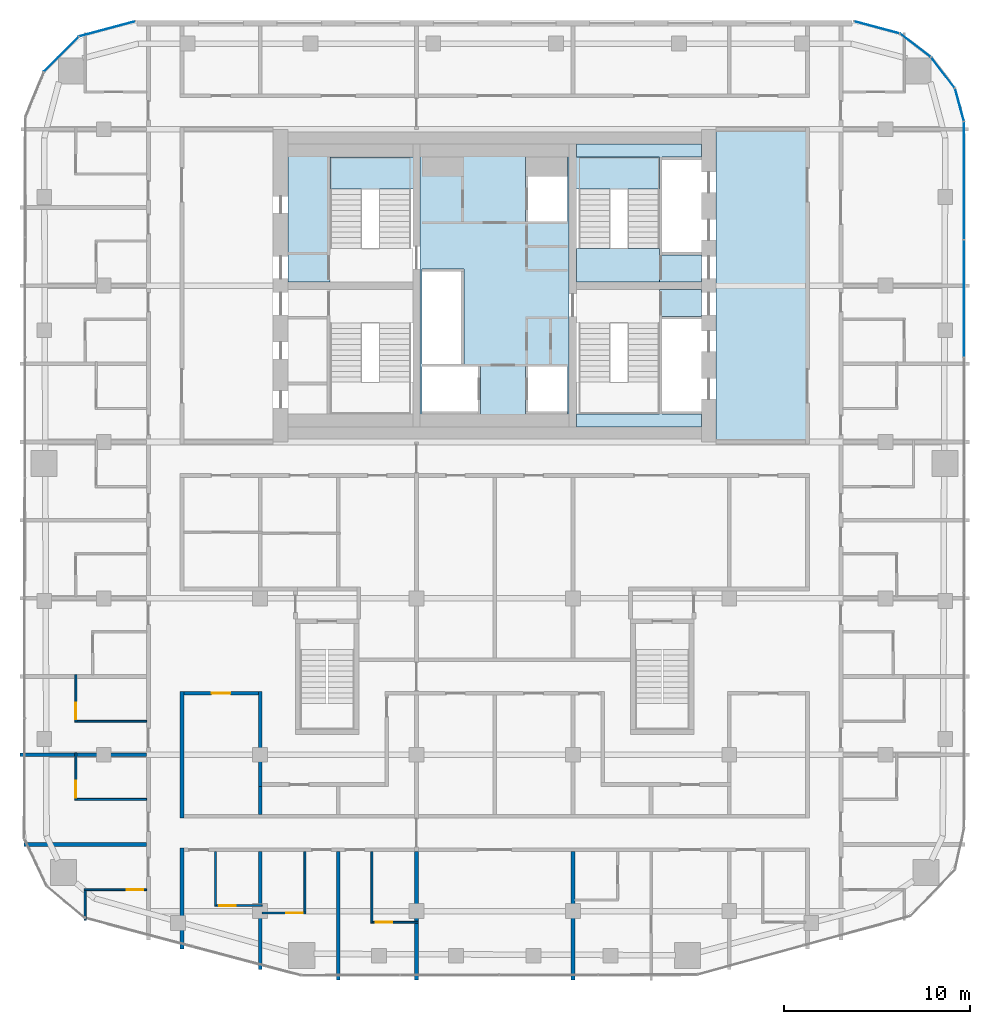
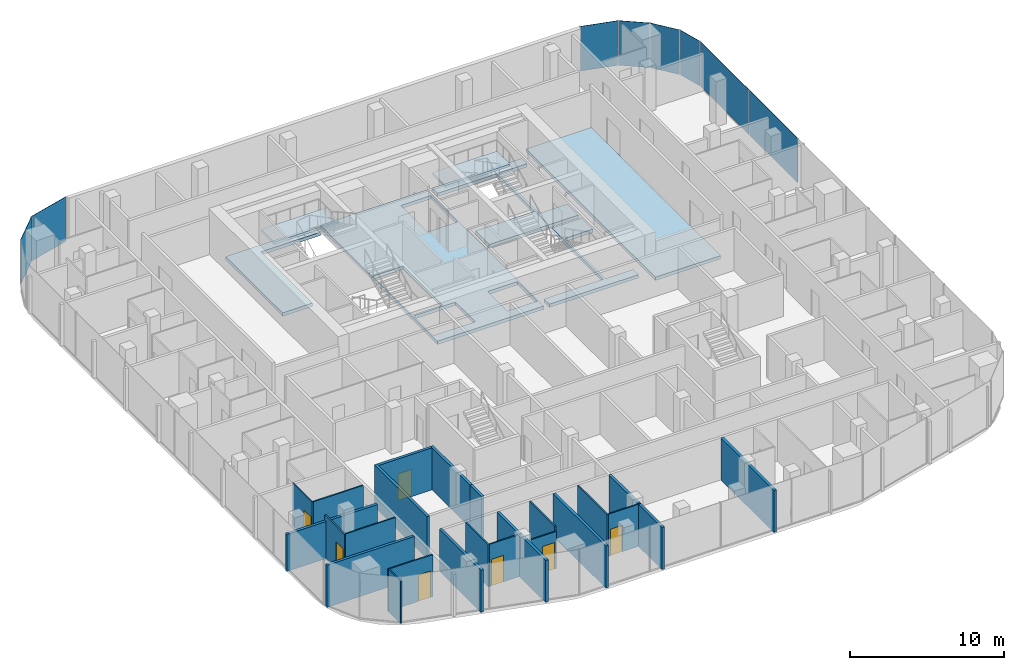
# One storey, part 13 of 22: 23 walls, 8 plates, 8 slabs, 7 doors, 7 openings, 9 elements without a shape of their own.
"""IFC4 building model written with IfcOpenShell, lengths in metres."""

from ifc_helpers import new_model, si_unit, direction, frame, frame_2d, origin, origin_2d, place, context, subcontext, project, spatial, polyline, rectangle, outline, extrude, material, layer, layer_set, type_object, element, fill, aggregate, save


model = new_model("IFC4")

# Units and contexts
model_context = context("Model", 3, precision=1e-05, world=origin(), true_north=direction((0.0, 1.0)))
body_context = subcontext(model_context, "Body", "Model", "MODEL_VIEW")
ifc_project = project(units=[si_unit("LENGTHUNIT", "METRE"), si_unit("AREAUNIT", "SQUARE_METRE"), si_unit("VOLUMEUNIT", "CUBIC_METRE"), si_unit("PLANEANGLEUNIT", "RADIAN"), si_unit("MASSUNIT", "GRAM", prefix="KILO")], contexts=[model_context])

# Site, building, storey
site_placement = place(None, origin())
site = spatial("IfcSite", under=ifc_project, at=site_placement, CompositionType="ELEMENT")
building_placement = place(site_placement, origin())
building = spatial("IfcBuilding", under=site, at=building_placement, Name="Marenta Gate Hotel Tower", CompositionType="ELEMENT")
storey_placement = place(building_placement, frame((0.0, 0.0, 194.89990234375)))
storey = spatial("IfcBuildingStorey", under=building, at=storey_placement, Name="L44", CompositionType="ELEMENT", Elevation=194.89990234375)

# Slabs
ifc_material_1 = material(Name="Concrete C40", Category="concrete")
ifc_layer_1 = layer(ifc_material_1, 0.260009765625)
ifc_layer_set_1 = layer_set([ifc_layer_1], Name="Concrete C40")
slab_type_1 = type_object("IfcSlabType", Name="Core floor slab 260", PredefinedType="FLOOR", material=ifc_layer_set_1)
slab_1_placement = place(storey_placement, frame((0.0, 0.0, -0.260009765625)))
element("IfcSlab", 1, at=slab_1_placement, inside=storey, type_object=slab_type_1, Name="L44-CF-1", PredefinedType="FLOOR", context=body_context, shape_type="SweptSolid", body=[
    extrude(outline(polyline([(11.89990234375, 0.0), (11.89990234375, 16.800048828125), (16.800048828125, 16.800048828125), (16.800048828125, 0.0), (11.89990234375, 0.0)])), origin(), (0.0, 0.0, 1.0), 0.260009765625),
])
slab_2_placement = place(storey_placement, frame((0.0, 0.0, -0.260009765625)))
element("IfcSlab", 2, at=slab_2_placement, inside=storey, type_object=slab_type_1, Name="L44-CF-2", PredefinedType="FLOOR", context=body_context, shape_type="SweptSolid", body=[
    extrude(outline(polyline([(8.85009765625, 1.5), (8.85009765625, 6.39990234375), (8.85009765625, 8.10009765625), (8.85009765625, 8.199951171875), (11.10009765625, 8.199951171875), (11.10009765625, 6.75), (9.0, 6.75), (9.0, 6.60009765625), (9.0, 4.199951171875), (9.0, 4.050048828125), (9.0, 1.64990234375), (9.0, 1.5), (11.10009765625, 1.5), (11.10009765625, 0.800048828125), (4.39990234375, 0.800048828125), (4.39990234375, 1.5), (8.85009765625, 1.5)])), origin(), (0.0, 0.0, 1.0), 0.260009765625),
])
slab_3_placement = place(storey_placement, frame((0.0, 0.0, -0.260009765625)))
element("IfcSlab", 3, at=slab_3_placement, inside=storey, type_object=slab_type_1, Name="L44-CF-3", PredefinedType="FLOOR", context=body_context, shape_type="SweptSolid", body=[
    extrude(outline(polyline([(8.85009765625, 15.300048828125), (4.39990234375, 15.300048828125), (4.39990234375, 16.0), (11.10009765625, 16.0), (11.10009765625, 15.300048828125), (9.0, 15.300048828125), (9.0, 15.14990234375), (9.0, 12.75), (9.0, 12.60009765625), (9.0, 10.199951171875), (9.0, 10.050048828125), (11.10009765625, 10.050048828125), (11.10009765625, 8.60009765625), (8.85009765625, 8.60009765625), (8.85009765625, 8.699951171875), (8.85009765625, 10.39990234375), (8.85009765625, 15.300048828125)])), origin(), (0.0, 0.0, 1.0), 0.260009765625),
])
slab_4_placement = place(storey_placement, frame((0.0, 0.0, -0.260009765625)))
element("IfcSlab", 4, at=slab_4_placement, inside=storey, type_object=slab_type_1, Name="L44-CF-4", PredefinedType="FLOOR", context=body_context, shape_type="SweptSolid", body=[
    extrude(outline(polyline([(4.0, 15.300048828125), (4.0, 10.39990234375), (4.0, 6.39990234375), (4.0, 1.5), (4.0, 0.800048828125), (-4.0, 0.800048828125), (-4.0, 1.5), (-4.0, 6.39990234375), (-4.0, 10.39990234375), (-4.0, 15.300048828125), (-4.0, 16.0), (4.0, 16.0), (4.0, 15.300048828125)]), holes=[polyline([(1.64990234375, 14.25), (1.64990234375, 11.85009765625), (1.800048828125, 11.85009765625), (3.89990234375, 11.85009765625), (3.89990234375, 14.25), (3.89990234375, 15.300048828125), (1.64990234375, 15.300048828125), (1.64990234375, 14.25)]), polyline([(3.89990234375, 1.64990234375), (3.89990234375, 4.050048828125), (1.800048828125, 4.050048828125), (1.64990234375, 4.050048828125), (1.64990234375, 1.64990234375), (1.64990234375, 1.5), (3.89990234375, 1.5), (3.89990234375, 1.64990234375)]), polyline([(-3.89990234375, 1.64990234375), (-3.89990234375, 1.5), (-0.89990234375, 1.5), (-0.75, 1.5), (-0.75, 4.050048828125), (-0.89990234375, 4.050048828125), (-3.89990234375, 4.050048828125), (-3.89990234375, 1.64990234375)]), polyline([(-1.800048828125, 4.199951171875), (-1.64990234375, 4.199951171875), (-1.64990234375, 9.14990234375), (-1.64990234375, 9.300048828125), (-3.89990234375, 9.300048828125), (-3.89990234375, 9.14990234375), (-3.89990234375, 6.75), (-3.89990234375, 6.60009765625), (-3.89990234375, 4.199951171875), (-1.800048828125, 4.199951171875)])]), origin(), (0.0, 0.0, 1.0), 0.260009765625),
])
slab_5_placement = place(storey_placement, frame((0.0, 0.0, -0.260009765625)))
element("IfcSlab", 5, at=slab_5_placement, inside=storey, type_object=slab_type_1, Name="L44-CF-6", PredefinedType="FLOOR", context=body_context, shape_type="SweptSolid", body=[
    extrude(outline(polyline([(-4.39990234375, 15.300048828125), (-8.85009765625, 15.300048828125), (-8.85009765625, 10.39990234375), (-8.85009765625, 8.699951171875), (-8.85009765625, 8.60009765625), (-11.10009765625, 8.60009765625), (-11.10009765625, 16.0), (-4.39990234375, 16.0), (-4.39990234375, 15.300048828125)])), origin(), (0.0, 0.0, 1.0), 0.260009765625),
])

# Stair, slab
ifc_material_2 = material(Name="Concrete C40", Category="concrete")
stair_type = type_object("IfcStairType", Name="Core exit stair 1700 wide", PredefinedType="HALF_TURN_STAIR", material=ifc_material_2)
stair_1_placement = place(storey_placement, origin())
stair_1 = element("IfcStair", 6, at=stair_1_placement, inside=storey, type_object=stair_type, Name="Exit stair 2", PredefinedType="HALF_TURN_STAIR")
ifc_material_3 = material(Name="Concrete C40", Category="concrete")
ifc_layer_2 = layer(ifc_material_3, 0.199951171875)
ifc_layer_set_2 = layer_set([ifc_layer_2], Name="Concrete C40")
slab_type_2 = type_object("IfcSlabType", Name="Core stair landing 200", PredefinedType="LANDING", material=ifc_layer_set_2)
slab_6_placement = place(storey_placement, frame((0.0, 0.0, 1.60009765625)))
slab_6 = element("IfcSlab", 7, at=slab_6_placement, type_object=slab_type_2, Name="SL-200 ST2 landing 1", PredefinedType="LANDING", context=body_context, shape_type="SweptSolid", body=[
    extrude(outline(polyline([(-8.85009765625, 13.590087890625), (-4.0, 13.590087890625), (-4.0, 15.300048828125), (-8.85009765625, 15.300048828125), (-8.85009765625, 13.590087890625)])), origin(), (0.0, 0.0, 1.0), 0.199951171875),
])
aggregate(stair_1, [slab_6])

stair_2_placement = place(storey_placement, origin())
stair_2 = element("IfcStair", 8, at=stair_2_placement, inside=storey, type_object=stair_type, Name="Exit stair 4", PredefinedType="HALF_TURN_STAIR")
slab_7_placement = place(storey_placement, frame((0.0, 0.0, 1.60009765625)))
slab_7 = element("IfcSlab", 9, at=slab_7_placement, type_object=slab_type_2, Name="SL-200 ST4 landing 1", PredefinedType="LANDING", context=body_context, shape_type="SweptSolid", body=[
    extrude(outline(polyline([(4.0, 13.590087890625), (8.85009765625, 13.590087890625), (8.85009765625, 15.300048828125), (4.0, 15.300048828125), (4.0, 13.590087890625)])), origin(), (0.0, 0.0, 1.0), 0.199951171875),
])
aggregate(stair_2, [slab_7])

# Curtain wall, plate
ifc_material_4 = material(Name="Tinted insulated glass in bronze anodised frame", Category="glass")
ifc_layer_3 = layer(ifc_material_4, 0.1201171875)
ifc_layer_set_3 = layer_set([ifc_layer_3], Name="Tinted insulated glass in bronze anodised frame")
curtain_wall_type = type_object("IfcCurtainWallType", Name="Tower unitised curtain wall CW1", PredefinedType="NOTDEFINED", material=ifc_layer_set_3)
curtain_wall_1_placement = place(storey_placement, origin())
curtain_wall_1 = element("IfcCurtainWall", 10, at=curtain_wall_1_placement, inside=storey, type_object=curtain_wall_type, Name="CW1 run G00", PredefinedType="NOTDEFINED")
ifc_material_5 = material(Name="Tinted insulated glass", Category="glass")
ifc_layer_4 = layer(ifc_material_5, 0.028076171875)
ifc_layer_set_4 = layer_set([ifc_layer_4], Name="Tinted insulated glass")
plate_type = type_object("IfcPlateType", Name="Glass panel CW1 28 mm tinted insulated unit", PredefinedType="CURTAIN_PANEL", material=ifc_layer_set_4)
plate_1_placement = place(storey_placement, frame((-20.813720703125, 22.19384765625, 0.06005859375), z_axis=(0.0, 0.0, 1.0), x_axis=(-0.965930559685, -0.258801379183, 0.0)))
plate_1 = element("IfcPlate", 11, at=plate_1_placement, type_object=plate_type, Name="CW1 panel 1.1", PredefinedType="CURTAIN_PANEL", context=body_context, shape_type="SweptSolid", body=[
    extrude(rectangle(XDim=3.104248046875, YDim=0.028076171875, at=origin_2d()), origin(), (0.0, 0.0, 1.0), 3.5400390625),
])
aggregate(curtain_wall_1, [plate_1])

curtain_wall_2_placement = place(storey_placement, origin())
curtain_wall_2 = element("IfcCurtainWall", 12, at=curtain_wall_2_placement, inside=storey, type_object=curtain_wall_type, Name="CW1 run G01", PredefinedType="NOTDEFINED")
plate_2_placement = place(storey_placement, frame((-23.279541015625, 20.825439453125, 0.06005859375), z_axis=(0.0, 0.0, 1.0), x_axis=(-0.707106781187, -0.707106781187, 0.0)))
plate_2 = element("IfcPlate", 13, at=plate_2_placement, type_object=plate_type, Name="CW1 panel 1.1", PredefinedType="CURTAIN_PANEL", context=body_context, shape_type="SweptSolid", body=[
    extrude(rectangle(XDim=2.614013671875, YDim=0.028076171875, at=origin_2d()), origin(), (0.0, 0.0, 1.0), 3.5400390625),
])
aggregate(curtain_wall_2, [plate_2])

# Curtain wall, plates
curtain_wall_3_placement = place(storey_placement, origin())
curtain_wall_3 = element("IfcCurtainWall", 14, at=curtain_wall_3_placement, inside=storey, type_object=curtain_wall_type, Name="CW1 run G11", PredefinedType="NOTDEFINED")
plate_3_placement = place(storey_placement, frame((25.214111328125, 7.7080078125, 0.06005859375), z_axis=(0.0, 0.0, 1.0), x_axis=(0.0, 1.0, 0.0)))
plate_3 = element("IfcPlate", 15, at=plate_3_placement, type_object=plate_type, Name="CW1 panel 5.1", PredefinedType="CURTAIN_PANEL", context=body_context, shape_type="SweptSolid", body=[
    extrude(rectangle(XDim=6.2626953125, YDim=0.028076171875, at=origin_2d()), origin(), (0.0, 0.0, 1.0), 3.5400390625),
])
plate_4_placement = place(storey_placement, frame((25.214111328125, 14.045654296875, 0.06005859375), z_axis=(0.0, 0.0, 1.0), x_axis=(0.0, 1.0, 0.0)))
plate_4 = element("IfcPlate", 16, at=plate_4_placement, type_object=plate_type, Name="CW1 panel 6.1", PredefinedType="CURTAIN_PANEL", context=body_context, shape_type="SweptSolid", body=[
    extrude(rectangle(XDim=6.29248046875, YDim=0.028076171875, at=origin_2d()), origin(), (0.0, 0.0, 1.0), 3.5400390625),
])
aggregate(curtain_wall_3, [plate_3, plate_4])

# Curtain wall, plate
curtain_wall_4_placement = place(storey_placement, origin())
curtain_wall_4 = element("IfcCurtainWall", 17, at=curtain_wall_4_placement, inside=storey, type_object=curtain_wall_type, Name="CW1 run G12", PredefinedType="NOTDEFINED")
plate_5_placement = place(storey_placement, frame((24.96630859375, 18.1162109375, 0.06005859375), z_axis=(0.0, 0.0, 1.0), x_axis=(-0.258824166754, 0.965924453932, 0.0)))
plate_5 = element("IfcPlate", 18, at=plate_5_placement, type_object=plate_type, Name="CW1 panel 1.1", PredefinedType="CURTAIN_PANEL", context=body_context, shape_type="SweptSolid", body=[
    extrude(rectangle(XDim=1.793701171875, YDim=0.028076171875, at=origin_2d()), origin(), (0.0, 0.0, 1.0), 3.5400390625),
])
aggregate(curtain_wall_4, [plate_5])

curtain_wall_5_placement = place(storey_placement, origin())
curtain_wall_5 = element("IfcCurtainWall", 19, at=curtain_wall_5_placement, inside=storey, type_object=curtain_wall_type, Name="CW1 run G13", PredefinedType="NOTDEFINED")
plate_6_placement = place(storey_placement, frame((24.0751953125, 19.84130859375, 0.06005859375), z_axis=(0.0, 0.0, 1.0), x_axis=(-0.608787499222, 0.793333335233, 0.0)))
plate_6 = element("IfcPlate", 20, at=plate_6_placement, type_object=plate_type, Name="CW1 panel 1.1", PredefinedType="CURTAIN_PANEL", context=body_context, shape_type="SweptSolid", body=[
    extrude(rectangle(XDim=2.045166015625, YDim=0.028076171875, at=origin_2d()), origin(), (0.0, 0.0, 1.0), 3.5400390625),
])
aggregate(curtain_wall_5, [plate_6])

curtain_wall_6_placement = place(storey_placement, origin())
curtain_wall_6 = element("IfcCurtainWall", 21, at=curtain_wall_6_placement, inside=storey, type_object=curtain_wall_type, Name="CW1 run G14", PredefinedType="NOTDEFINED")
plate_7_placement = place(storey_placement, frame((22.59375, 21.311767578125, 0.06005859375), z_axis=(0.0, 0.0, 1.0), x_axis=(-0.793333335233, 0.608787499222, 0.0)))
plate_7 = element("IfcPlate", 22, at=plate_7_placement, type_object=plate_type, Name="CW1 panel 1.1", PredefinedType="CURTAIN_PANEL", context=body_context, shape_type="SweptSolid", body=[
    extrude(rectangle(XDim=2.045166015625, YDim=0.028076171875, at=origin_2d()), origin(), (0.0, 0.0, 1.0), 3.5400390625),
])
aggregate(curtain_wall_6, [plate_7])

curtain_wall_7_placement = place(storey_placement, origin())
curtain_wall_7 = element("IfcCurtainWall", 23, at=curtain_wall_7_placement, inside=storey, type_object=curtain_wall_type, Name="CW1 run G15", PredefinedType="NOTDEFINED")
plate_8_placement = place(storey_placement, frame((20.51953125, 22.272705078125, 0.06005859375), z_axis=(0.0, 0.0, 1.0), x_axis=(-0.96592961764, 0.258804895175, 0.0)))
plate_8 = element("IfcPlate", 24, at=plate_8_placement, type_object=plate_type, Name="CW1 panel 1.1", PredefinedType="CURTAIN_PANEL", context=body_context, shape_type="SweptSolid", body=[
    extrude(rectangle(XDim=2.4951171875, YDim=0.028076171875, at=origin_2d()), origin(), (0.0, 0.0, 1.0), 3.5400390625),
])
aggregate(curtain_wall_7, [plate_8])

# Slab
ifc_material_6 = material(Name="Concrete C40", Category="concrete")
ifc_layer_5 = layer(ifc_material_6, 0.300048828125)
ifc_layer_set_5 = layer_set([ifc_layer_5], Name="Concrete C40")
slab_type_3 = type_object("IfcSlabType", Name="Stair floor landing slab 300", PredefinedType="FLOOR", material=ifc_layer_set_5)
slab_8_placement = place(storey_placement, frame((0.0, 0.0, -0.2998046875)))
element("IfcSlab", 25, at=slab_8_placement, inside=storey, type_object=slab_type_3, Name="L44-CL-ST4-1", PredefinedType="FLOOR", context=body_context, shape_type="SweptSolid", body=[
    extrude(outline(polyline([(4.39990234375, 8.60009765625), (4.39990234375, 10.39990234375), (8.85009765625, 10.39990234375), (8.85009765625, 8.699951171875), (8.85009765625, 8.60009765625), (4.39990234375, 8.60009765625)])), origin(), (0.0, 0.0, 1.0), 0.2998046875),
])

# Wall
ifc_material_7 = material(Name="Concrete blockwork", Category="masonry")
ifc_layer_6 = layer(ifc_material_7, 0.199951171875)
ifc_layer_set_6 = layer_set([ifc_layer_6], Name="Concrete blockwork")
wall_type_1 = type_object("IfcWallType", Name="Compartment wall 200 REI 180", PredefinedType="PARTITIONING", material=ifc_layer_set_6)
wall_1_placement = place(storey_placement, frame((-4.199951171875, -28.89990234375, 0.0), z_axis=(0.0, 0.0, 1.0), x_axis=(0.0, 1.0, 0.0)))
element("IfcWall", 26, at=wall_1_placement, inside=storey, type_object=wall_type_1, Name="L44-PTN-W079", PredefinedType="PARTITIONING", context=body_context, shape_type="SweptSolid", body=[
    extrude(rectangle(XDim=6.89990234375, YDim=0.199951171875, at=frame_2d((3.449951171875, 0.0))), origin(), (0.0, 0.0, 1.0), 3.340087890625),
])

# Wall, opening, door
ifc_material_8 = material(Name="Gypsum board on steel stud", Category="steel")
ifc_layer_7 = layer(ifc_material_8, 0.199951171875)
ifc_layer_set_7 = layer_set([ifc_layer_7], Name="Gypsum board on steel stud")
wall_type_2 = type_object("IfcWallType", Name="Room corridor wall 200 EI 60", PredefinedType="PARTITIONING", material=ifc_layer_set_7)
wall_2_placement = place(storey_placement, frame((-16.699951171875, -13.5, 0.0), z_axis=(0.0, 0.0, 1.0), x_axis=(1.0, 0.0, 0.0)))
wall_2 = element("IfcWall", 27, at=wall_2_placement, inside=storey, type_object=wall_type_2, Name="L44-PTN-W035", PredefinedType="PARTITIONING", context=body_context, shape_type="SweptSolid", body=[
    extrude(rectangle(XDim=4.0, YDim=0.199951171875, at=frame_2d((2.0, 0.0))), origin(), (0.0, 0.0, 1.0), 3.340087890625),
])
opening_1_placement = place(wall_2_placement, frame((1.5, 0.0, 0.0)))
opening_1 = element("IfcOpeningElement", 28, at=opening_1_placement, cuts=wall_2, Name="Opening G15-10", PredefinedType="OPENING", context=body_context, shape_type="SweptSolid", body=[
    extrude(rectangle(XDim=1.0, YDim=2.10009765625, at=frame_2d((0.5, 1.050048828125))), frame((0.0, 0.10009765625, 0.0), z_axis=(0.0, -1.0, 0.0), x_axis=(1.0, 0.0, 0.0)), (0.0, 0.0, 1.0), 0.199951171875),
])
ifc_material_9 = material(Name="Timber door leaf", Category="wood")
door_type_1 = type_object("IfcDoorType", Name="Room amenity door 1000x2100 EI 30", OperationType="NOTDEFINED", PredefinedType="DOOR", material=ifc_material_9)
door_1_placement = place(opening_1_placement, origin())
door_1 = element("IfcDoor", 29, at=door_1_placement, inside=storey, type_object=door_type_1, Name="L44-PD-D010", OperationType="SINGLE_SWING_RIGHT", OverallHeight=2.10009765625, OverallWidth=1.0, PredefinedType="DOOR", context=body_context, shape_type="SweptSolid", body=[
    extrude(rectangle(XDim=1.0, YDim=2.10009765625, at=frame_2d((0.5, 1.050048828125))), frame((0.0, 0.02490234375, 0.0), z_axis=(0.0, -1.0, 0.0), x_axis=(1.0, 0.0, 0.0)), (0.0, 0.0, 1.0), 0.050048828125),
])
fill(opening_1, door_1)

# Walls
wall_3_placement = place(storey_placement, frame((-12.60009765625, -18.5, 0.0), z_axis=(0.0, 0.0, 1.0), x_axis=(0.0, 1.0, 0.0)))
element("IfcWall", 30, at=wall_3_placement, inside=storey, type_object=wall_type_2, Name="L44-PTN-W102", PredefinedType="PARTITIONING", context=body_context, shape_type="SweptSolid", body=[
    extrude(rectangle(XDim=5.10009765625, YDim=0.199951171875, at=frame_2d((2.550048828125, 0.0))), origin(), (0.0, 0.0, 1.0), 3.340087890625),
])
wall_4_placement = place(storey_placement, frame((-16.800048828125, -27.22900390625, 0.0), z_axis=(0.0, 0.0, 1.0), x_axis=(0.0, 1.0, 0.0)))
element("IfcWall", 31, at=wall_4_placement, inside=storey, type_object=wall_type_2, Name="L44-PTN-W106", PredefinedType="PARTITIONING", context=body_context, shape_type="SweptSolid", body=[
    extrude(rectangle(XDim=5.428955078125, YDim=0.199951171875, at=frame_2d((2.71435546875, 0.0))), origin(), (0.0, 0.0, 1.0), 3.340087890625),
])
wall_5_placement = place(storey_placement, frame((-16.800048828125, -20.199951171875, 0.0), z_axis=(0.0, 0.0, 1.0), x_axis=(0.0, 1.0, 0.0)))
element("IfcWall", 32, at=wall_5_placement, inside=storey, type_object=wall_type_2, Name="L44-PTN-W107", PredefinedType="PARTITIONING", context=body_context, shape_type="SweptSolid", body=[
    extrude(rectangle(XDim=6.800048828125, YDim=0.199951171875, at=frame_2d((3.39990234375, 0.0))), origin(), (0.0, 0.0, 1.0), 3.340087890625),
])

# Wall, opening, door
ifc_material_10 = material(Name="Gypsum board on steel stud", Category="steel")
ifc_layer_8 = layer(ifc_material_10, 0.10009765625)
ifc_layer_set_8 = layer_set([ifc_layer_8], Name="Gypsum board on steel stud")
wall_type_3 = type_object("IfcWallType", Name="Room partition 100", PredefinedType="PARTITIONING", material=ifc_layer_set_8)
wall_6_placement = place(storey_placement, frame((-6.550048828125, -25.800048828125, 0.0), z_axis=(0.0, 0.0, 1.0), x_axis=(1.0, 0.0, 0.0)))
wall_6 = element("IfcWall", 33, at=wall_6_placement, inside=storey, type_object=wall_type_3, Name="L44-PTN-W001", PredefinedType="PARTITIONING", context=body_context, shape_type="SweptSolid", body=[
    extrude(rectangle(XDim=2.449951171875, YDim=0.10009765625, at=frame_2d((1.22509765625, 0.0))), origin(), (0.0, 0.0, 1.0), 3.340087890625),
])
opening_2_placement = place(wall_6_placement, frame((0.14990234375, 0.0, 0.0)))
opening_2 = element("IfcOpeningElement", 34, at=opening_2_placement, cuts=wall_6, Name="Opening G15-47", PredefinedType="OPENING", context=body_context, shape_type="SweptSolid", body=[
    extrude(rectangle(XDim=0.89990234375, YDim=2.10009765625, at=frame_2d((0.449951171875, 1.050048828125))), frame((0.0, 0.050048828125, 0.0), z_axis=(0.0, -1.0, 0.0), x_axis=(1.0, 0.0, 0.0)), (0.0, 0.0, 1.0), 0.10009765625),
])
ifc_material_11 = material(Name="Timber door leaf", Category="wood")
door_type_2 = type_object("IfcDoorType", Name="Guest bathroom door 900x2100", OperationType="NOTDEFINED", PredefinedType="DOOR", material=ifc_material_11)
door_2_placement = place(opening_2_placement, origin())
door_2 = element("IfcDoor", 35, at=door_2_placement, inside=storey, type_object=door_type_2, Name="L44-PD-D047", OperationType="SINGLE_SWING_LEFT", OverallHeight=2.10009765625, OverallWidth=0.89990234375, PredefinedType="DOOR", context=body_context, shape_type="SweptSolid", body=[
    extrude(rectangle(XDim=0.89990234375, YDim=2.10009765625, at=frame_2d((0.449951171875, 1.050048828125))), frame((0.0, 0.02490234375, 0.0), z_axis=(0.0, -1.0, 0.0), x_axis=(1.0, 0.0, 0.0)), (0.0, 0.0, 1.0), 0.050048828125),
])
fill(opening_2, door_2)

wall_7_placement = place(storey_placement, frame((-12.5, -25.300048828125, 0.0), z_axis=(0.0, 0.0, 1.0), x_axis=(1.0, 0.0, 0.0)))
wall_7 = element("IfcWall", 36, at=wall_7_placement, inside=storey, type_object=wall_type_3, Name="L44-PTN-W003", PredefinedType="PARTITIONING", context=body_context, shape_type="SweptSolid", body=[
    extrude(rectangle(XDim=2.35009765625, YDim=0.10009765625, at=frame_2d((1.175048828125, 0.0))), origin(), (0.0, 0.0, 1.0), 2.940185546875),
])
opening_3_placement = place(wall_7_placement, frame((1.300048828125, 0.0, 0.0)))
opening_3 = element("IfcOpeningElement", 37, at=opening_3_placement, cuts=wall_7, Name="Opening G15-45", PredefinedType="OPENING", context=body_context, shape_type="SweptSolid", body=[
    extrude(rectangle(XDim=0.89990234375, YDim=2.10009765625, at=frame_2d((0.449951171875, 1.050048828125))), frame((0.0, 0.050048828125, 0.0), z_axis=(0.0, -1.0, 0.0), x_axis=(1.0, 0.0, 0.0)), (0.0, 0.0, 1.0), 0.10009765625),
])
door_3_placement = place(opening_3_placement, origin())
door_3 = element("IfcDoor", 38, at=door_3_placement, inside=storey, type_object=door_type_2, Name="L44-PD-D045", OperationType="SINGLE_SWING_RIGHT", OverallHeight=2.10009765625, OverallWidth=0.89990234375, PredefinedType="DOOR", context=body_context, shape_type="SweptSolid", body=[
    extrude(rectangle(XDim=0.89990234375, YDim=2.10009765625, at=frame_2d((0.449951171875, 1.050048828125))), frame((0.0, 0.02490234375, 0.0), z_axis=(0.0, -1.0, 0.0), x_axis=(1.0, 0.0, 0.0)), (0.0, 0.0, 1.0), 0.050048828125),
])
fill(opening_3, door_3)

wall_8_placement = place(storey_placement, frame((-14.949951171875, -24.89990234375, 0.0), z_axis=(0.0, 0.0, 1.0), x_axis=(1.0, 0.0, 0.0)))
wall_8 = element("IfcWall", 39, at=wall_8_placement, inside=storey, type_object=wall_type_3, Name="L44-PTN-W004", PredefinedType="PARTITIONING", context=body_context, shape_type="SweptSolid", body=[
    extrude(rectangle(XDim=2.449951171875, YDim=0.10009765625, at=frame_2d((1.22509765625, 0.0))), origin(), (0.0, 0.0, 1.0), 3.340087890625),
])
opening_4_placement = place(wall_8_placement, frame((0.14990234375, 0.0, 0.0)))
opening_4 = element("IfcOpeningElement", 40, at=opening_4_placement, cuts=wall_8, Name="Opening G15-43", PredefinedType="OPENING", context=body_context, shape_type="SweptSolid", body=[
    extrude(rectangle(XDim=0.89990234375, YDim=2.10009765625, at=frame_2d((0.449951171875, 1.050048828125))), frame((0.0, 0.050048828125, 0.0), z_axis=(0.0, -1.0, 0.0), x_axis=(1.0, 0.0, 0.0)), (0.0, 0.0, 1.0), 0.10009765625),
])
door_4_placement = place(opening_4_placement, origin())
door_4 = element("IfcDoor", 41, at=door_4_placement, inside=storey, type_object=door_type_2, Name="L44-PD-D043", OperationType="SINGLE_SWING_LEFT", OverallHeight=2.10009765625, OverallWidth=0.89990234375, PredefinedType="DOOR", context=body_context, shape_type="SweptSolid", body=[
    extrude(rectangle(XDim=0.89990234375, YDim=2.10009765625, at=frame_2d((0.449951171875, 1.050048828125))), frame((0.0, 0.02490234375, 0.0), z_axis=(0.0, -1.0, 0.0), x_axis=(1.0, 0.0, 0.0)), (0.0, 0.0, 1.0), 0.050048828125),
])
fill(opening_4, door_4)

wall_9_placement = place(storey_placement, frame((-22.050048828125, -24.051025390625, 0.0), z_axis=(0.0, 0.0, 1.0), x_axis=(1.0, 0.0, 0.0)))
wall_9 = element("IfcWall", 42, at=wall_9_placement, inside=storey, type_object=wall_type_3, Name="L44-PTN-W006", PredefinedType="PARTITIONING", context=body_context, shape_type="SweptSolid", body=[
    extrude(rectangle(XDim=3.35009765625, YDim=0.10009765625, at=frame_2d((1.675048828125, 0.0))), origin(), (0.0, 0.0, 1.0), 3.340087890625),
])
opening_5_placement = place(wall_9_placement, frame((2.280029296875, 0.0, 0.0)))
opening_5 = element("IfcOpeningElement", 43, at=opening_5_placement, cuts=wall_9, Name="Opening G15-55", PredefinedType="OPENING", context=body_context, shape_type="SweptSolid", body=[
    extrude(rectangle(XDim=0.89990234375, YDim=2.10009765625, at=frame_2d((0.449951171875, 1.050048828125))), frame((0.0, 0.050048828125, 0.0), z_axis=(0.0, -1.0, 0.0), x_axis=(1.0, 0.0, 0.0)), (0.0, 0.0, 1.0), 0.10009765625),
])
door_5_placement = place(opening_5_placement, origin())
door_5 = element("IfcDoor", 44, at=door_5_placement, inside=storey, type_object=door_type_2, Name="L44-PD-D055", OperationType="SINGLE_SWING_LEFT", OverallHeight=2.10009765625, OverallWidth=0.89990234375, PredefinedType="DOOR", context=body_context, shape_type="SweptSolid", body=[
    extrude(rectangle(XDim=0.89990234375, YDim=2.10009765625, at=frame_2d((0.449951171875, 1.050048828125))), frame((0.0, 0.02490234375, 0.0), z_axis=(0.0, -1.0, 0.0), x_axis=(1.0, 0.0, 0.0)), (0.0, 0.0, 1.0), 0.050048828125),
])
fill(opening_5, door_5)

# Walls
for number, where, z_axis, x_axis, name in (
    (45, (-22.449951171875, -19.199951171875, 0.0), (0.0, 0.0, 1.0), (1.0, 0.0, 0.0), "L44-PTN-W021"),
    (46, (-22.449951171875, -15.0, 0.0), (0.0, 0.0, 1.0), (1.0, 0.0, 0.0), "L44-PTN-W032"),
):
    element("IfcWall", number, at=place(storey_placement, frame(where, z_axis=z_axis, x_axis=x_axis)), inside=storey, type_object=wall_type_3, Name=name, PredefinedType="PARTITIONING", context=body_context, shape_type="SweptSolid", body=[
        extrude(rectangle(XDim=3.75, YDim=0.10009765625, at=frame_2d((1.875, 0.0))), origin(), (0.0, 0.0, 1.0), 3.340087890625),
    ])
wall_10_placement = place(storey_placement, frame((-6.60009765625, -25.85009765625, 0.0), z_axis=(0.0, 0.0, 1.0), x_axis=(0.0, 1.0, 0.0)))
element("IfcWall", 47, at=wall_10_placement, inside=storey, type_object=wall_type_3, Name="L44-PTN-W086", PredefinedType="PARTITIONING", context=body_context, shape_type="SweptSolid", body=[
    extrude(rectangle(XDim=3.85009765625, YDim=0.10009765625, at=frame_2d((1.925048828125, 0.0))), origin(), (0.0, 0.0, 1.0), 3.340087890625),
])
wall_11_placement = place(storey_placement, frame((-10.199951171875, -25.25, 0.0), z_axis=(0.0, 0.0, 1.0), x_axis=(0.0, 1.0, 0.0)))
element("IfcWall", 48, at=wall_11_placement, inside=storey, type_object=wall_type_3, Name="L44-PTN-W095", PredefinedType="PARTITIONING", context=body_context, shape_type="SweptSolid", body=[
    extrude(rectangle(XDim=3.25, YDim=0.10009765625, at=frame_2d((1.625, 0.0))), origin(), (0.0, 0.0, 1.0), 3.340087890625),
])
wall_12_placement = place(storey_placement, frame((-15.0, -24.949951171875, 0.0), z_axis=(0.0, 0.0, 1.0), x_axis=(0.0, 1.0, 0.0)))
element("IfcWall", 49, at=wall_12_placement, inside=storey, type_object=wall_type_3, Name="L44-PTN-W105", PredefinedType="PARTITIONING", context=body_context, shape_type="SweptSolid", body=[
    extrude(rectangle(XDim=2.949951171875, YDim=0.10009765625, at=frame_2d((1.47509765625, 0.0))), origin(), (0.0, 0.0, 1.0), 3.340087890625),
])
wall_13_placement = place(storey_placement, frame((-22.0, -25.68505859375, 0.0), z_axis=(0.0, 0.0, 1.0), x_axis=(0.0, 1.0, 0.0)))
element("IfcWall", 50, at=wall_13_placement, inside=storey, type_object=wall_type_3, Name="L44-PTN-W120", PredefinedType="PARTITIONING", context=body_context, shape_type="SweptSolid", body=[
    extrude(rectangle(XDim=1.583984375, YDim=0.10009765625, at=frame_2d((0.7919921875, 0.0))), origin(), (0.0, 0.0, 1.0), 3.340087890625),
])

# Wall, opening, door
wall_14_placement = place(storey_placement, frame((-22.5, -19.25, 0.0), z_axis=(0.0, 0.0, 1.0), x_axis=(0.0, 1.0, 0.0)))
wall_14 = element("IfcWall", 51, at=wall_14_placement, inside=storey, type_object=wall_type_3, Name="L44-PTN-W123", PredefinedType="PARTITIONING", context=body_context, shape_type="SweptSolid", body=[
    extrude(rectangle(XDim=2.550048828125, YDim=0.10009765625, at=frame_2d((1.27490234375, 0.0))), origin(), (0.0, 0.0, 1.0), 3.340087890625),
])
opening_6_placement = place(wall_14_placement, frame((0.14990234375, 0.0, 0.0)))
opening_6 = element("IfcOpeningElement", 52, at=opening_6_placement, cuts=wall_14, Name="Opening G15-57", PredefinedType="OPENING", context=body_context, shape_type="SweptSolid", body=[
    extrude(rectangle(XDim=0.89990234375, YDim=2.10009765625, at=frame_2d((0.449951171875, 1.050048828125))), frame((0.0, 0.050048828125, 0.0), z_axis=(0.0, -1.0, 0.0), x_axis=(1.0, 0.0, 0.0)), (0.0, 0.0, 1.0), 0.10009765625),
])
door_6_placement = place(opening_6_placement, origin())
door_6 = element("IfcDoor", 53, at=door_6_placement, inside=storey, type_object=door_type_2, Name="L44-PD-D057", OperationType="SINGLE_SWING_RIGHT", OverallHeight=2.10009765625, OverallWidth=0.89990234375, PredefinedType="DOOR", context=body_context, shape_type="SweptSolid", body=[
    extrude(rectangle(XDim=0.89990234375, YDim=2.10009765625, at=frame_2d((0.449951171875, 1.050048828125))), frame((0.0, 0.02490234375, 0.0), z_axis=(0.0, -1.0, 0.0), x_axis=(1.0, 0.0, 0.0)), (0.0, 0.0, 1.0), 0.050048828125),
])
fill(opening_6, door_6)

wall_15_placement = place(storey_placement, frame((-22.5, -15.050048828125, 0.0), z_axis=(0.0, 0.0, 1.0), x_axis=(0.0, 1.0, 0.0)))
wall_15 = element("IfcWall", 54, at=wall_15_placement, inside=storey, type_object=wall_type_3, Name="L44-PTN-W124", PredefinedType="PARTITIONING", context=body_context, shape_type="SweptSolid", body=[
    extrude(rectangle(XDim=2.550048828125, YDim=0.10009765625, at=frame_2d((1.27490234375, 0.0))), origin(), (0.0, 0.0, 1.0), 3.340087890625),
])
opening_7_placement = place(wall_15_placement, frame((0.14990234375, 0.0, 0.0)))
opening_7 = element("IfcOpeningElement", 55, at=opening_7_placement, cuts=wall_15, Name="Opening G15-59", PredefinedType="OPENING", context=body_context, shape_type="SweptSolid", body=[
    extrude(rectangle(XDim=0.89990234375, YDim=2.10009765625, at=frame_2d((0.449951171875, 1.050048828125))), frame((0.0, 0.050048828125, 0.0), z_axis=(0.0, -1.0, 0.0), x_axis=(1.0, 0.0, 0.0)), (0.0, 0.0, 1.0), 0.10009765625),
])
door_7_placement = place(opening_7_placement, origin())
door_7 = element("IfcDoor", 56, at=door_7_placement, inside=storey, type_object=door_type_2, Name="L44-PD-D059", OperationType="SINGLE_SWING_RIGHT", OverallHeight=2.10009765625, OverallWidth=0.89990234375, PredefinedType="DOOR", context=body_context, shape_type="SweptSolid", body=[
    extrude(rectangle(XDim=0.89990234375, YDim=2.10009765625, at=frame_2d((0.449951171875, 1.050048828125))), frame((0.0, 0.02490234375, 0.0), z_axis=(0.0, -1.0, 0.0), x_axis=(1.0, 0.0, 0.0)), (0.0, 0.0, 1.0), 0.050048828125),
])
fill(opening_7, door_7)

# Walls
ifc_material_12 = material(Name="Gypsum board on steel stud", Category="steel")
ifc_layer_9 = layer(ifc_material_12, 0.199951171875)
ifc_layer_set_9 = layer_set([ifc_layer_9], Name="Gypsum board on steel stud")
wall_type_4 = type_object("IfcWallType", Name="Room party wall 200 EI 60", PredefinedType="PARTITIONING", material=ifc_layer_set_9)
wall_16_placement = place(storey_placement, frame((-25.27587890625, -21.625, 0.0), z_axis=(0.0, 0.0, 1.0), x_axis=(1.0, 0.0, 0.0)))
element("IfcWall", 57, at=wall_16_placement, inside=storey, type_object=wall_type_4, Name="L44-PTN-W014", PredefinedType="PARTITIONING", context=body_context, shape_type="SweptSolid", body=[
    extrude(rectangle(XDim=6.575927734375, YDim=0.199951171875, at=frame_2d((3.2880859375, 0.0))), origin(), (0.0, 0.0, 1.0), 3.340087890625),
])
wall_17_placement = place(storey_placement, frame((-25.5, -16.800048828125, 0.0), z_axis=(0.0, 0.0, 1.0), x_axis=(1.0, 0.0, 0.0)))
element("IfcWall", 58, at=wall_17_placement, inside=storey, type_object=wall_type_4, Name="L44-PTN-W030", PredefinedType="PARTITIONING", context=body_context, shape_type="SweptSolid", body=[
    extrude(rectangle(XDim=6.800048828125, YDim=0.199951171875, at=frame_2d((3.39990234375, 0.0))), origin(), (0.0, 0.0, 1.0), 2.940185546875),
])
for number, where, z_axis, x_axis, name in (
    (59, (4.199951171875, -28.89990234375, 0.0), (0.0, 0.0, 1.0), (0.0, 1.0, 0.0), "L44-PTN-W064"),
    (60, (-8.39990234375, -28.89990234375, 0.0), (0.0, 0.0, 1.0), (0.0, 1.0, 0.0), "L44-PTN-W090"),
):
    element("IfcWall", number, at=place(storey_placement, frame(where, z_axis=z_axis, x_axis=x_axis)), inside=storey, type_object=wall_type_4, Name=name, PredefinedType="PARTITIONING", context=body_context, shape_type="SweptSolid", body=[
        extrude(rectangle(XDim=6.89990234375, YDim=0.199951171875, at=frame_2d((3.449951171875, 0.0))), origin(), (0.0, 0.0, 1.0), 3.340087890625),
    ])
wall_18_placement = place(storey_placement, frame((-12.60009765625, -28.343017578125, 0.0), z_axis=(0.0, 0.0, 1.0), x_axis=(0.0, 1.0, 0.0)))
element("IfcWall", 61, at=wall_18_placement, inside=storey, type_object=wall_type_4, Name="L44-PTN-W098", PredefinedType="PARTITIONING", context=body_context, shape_type="SweptSolid", body=[
    extrude(rectangle(XDim=6.343017578125, YDim=0.199951171875, at=frame_2d((3.17138671875, 0.0))), origin(), (0.0, 0.0, 1.0), 3.340087890625),
])
wall_19_placement = place(storey_placement, frame((-12.60009765625, -20.0, 0.0), z_axis=(0.0, 0.0, 1.0), x_axis=(0.0, 1.0, 0.0)))
element("IfcWall", 62, at=wall_19_placement, inside=storey, type_object=wall_type_4, Name="L44-PTN-W099", PredefinedType="PARTITIONING", context=body_context, shape_type="SweptSolid", body=[
    extrude(rectangle(XDim=1.5, YDim=0.199951171875, at=frame_2d((0.75, 0.0))), origin(), (0.0, 0.0, 1.0), 3.340087890625),
])

save(model, "model.ifc")
